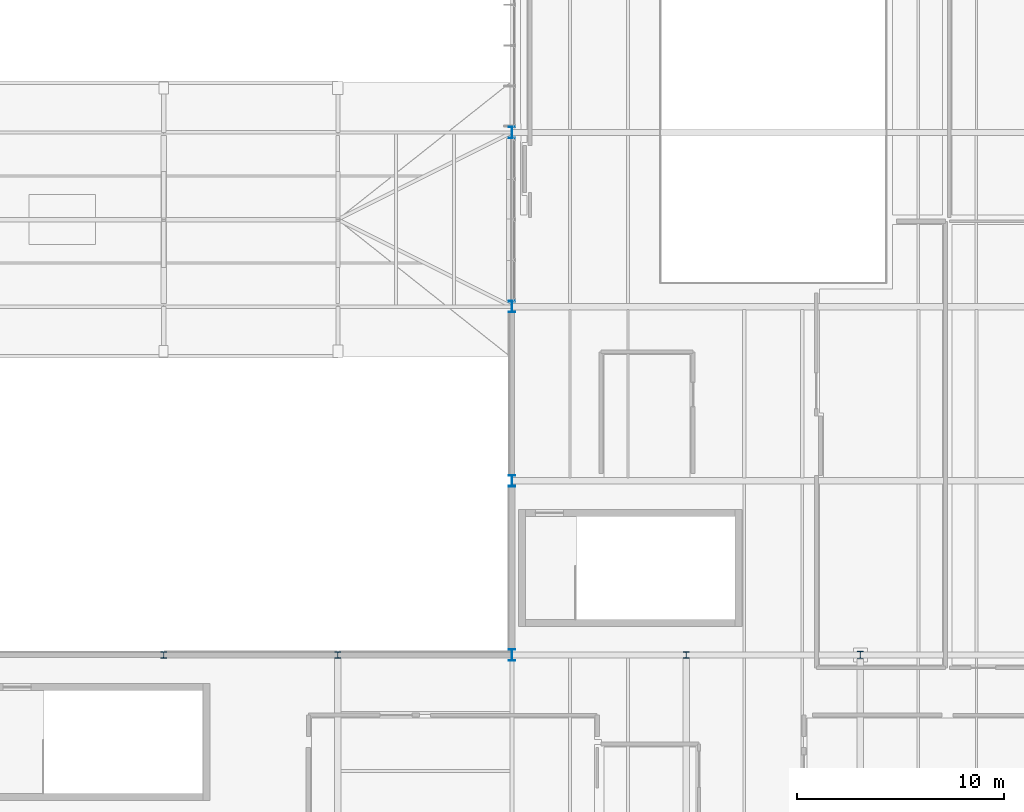
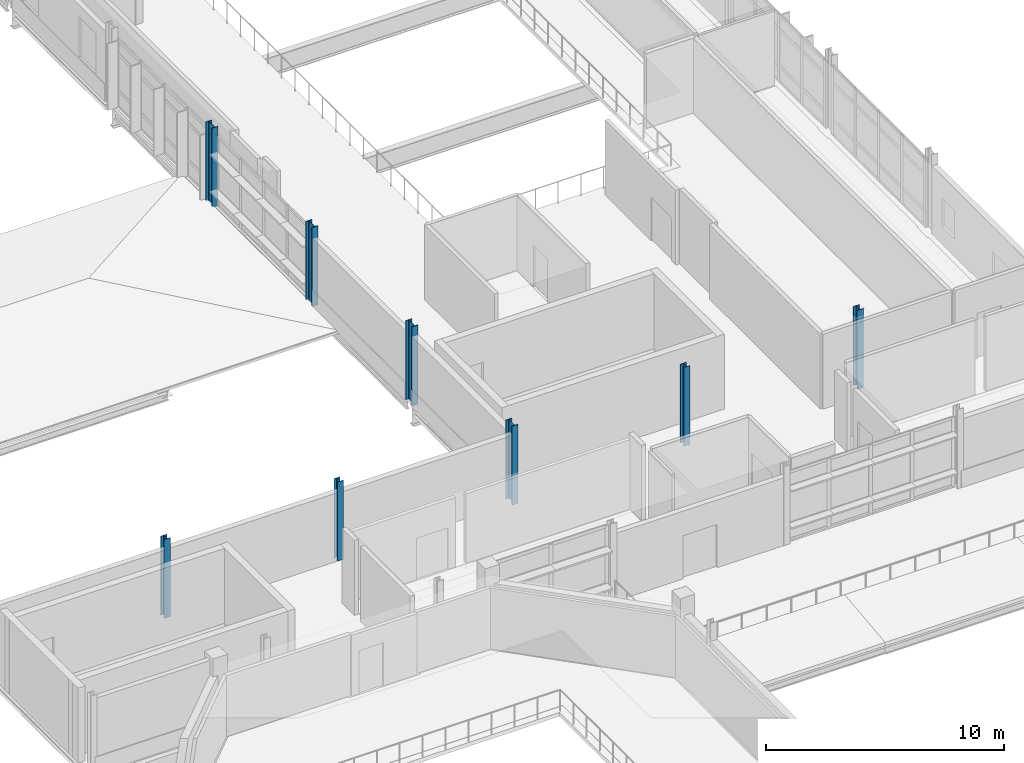
# One storey, part 3 of 151: 8 columns.
"""IFC4 building model written with IfcOpenShell, lengths in metres."""

from ifc_helpers import new_model, si_unit, direction, frame, origin, origin_2d, place, context, subcontext, project, spatial, i_section, extrude, material, material_profile, profile_set, type_object, element, save


model = new_model("IFC4")

# Units and contexts
model_context = context("Model", 3, precision=1e-05, world=origin(), true_north=direction((0.0, 1.0)))
body_context = subcontext(model_context, "Body", "Model", "MODEL_VIEW")
ifc_project = project(units=[si_unit("LENGTHUNIT", "METRE"), si_unit("AREAUNIT", "SQUARE_METRE"), si_unit("VOLUMEUNIT", "CUBIC_METRE"), si_unit("PLANEANGLEUNIT", "RADIAN"), si_unit("MASSUNIT", "GRAM", prefix="KILO")], contexts=[model_context])

# Site, building, storey
site_placement = place(None, origin())
site = spatial("IfcSite", under=ifc_project, at=site_placement, CompositionType="ELEMENT")
building_placement = place(site_placement, origin())
building = spatial("IfcBuilding", under=site, at=building_placement, Name="Mersafa Astral City Hall", CompositionType="ELEMENT")
storey_placement = place(building_placement, frame((0.0, 0.0, 9.89990234375)))
storey = spatial("IfcBuildingStorey", under=building, at=storey_placement, Name="L02", CompositionType="ELEMENT", Elevation=9.89990234375)

# Columns
ifc_material = material(Name="Steel S355", Category="steel")
ifc_material_profile_1 = material_profile(ifc_material, i_section(OverallWidth=0.300048828125, OverallDepth=0.300048828125, WebThickness=0.010986328125, FlangeThickness=0.01904296875, FilletRadius=0.027099609375, at=origin_2d()), Name="HEB 300")
ifc_profile_set_1 = profile_set([ifc_material_profile_1], Name="Steel S355")
column_type_1 = type_object("IfcColumnType", Name="STR-COL-HEB300", PredefinedType="COLUMN", material=ifc_profile_set_1)
for number, where, z_axis, x_axis, name in (
    (1, (75.60009765625, 33.60009765625, 0.0), (0.0, 0.0, 1.0), (1.0, 0.0, 0.0), "L02 Structural column G-09-04"),
    (2, (84.0, 33.60009765625, 0.0), (0.0, 0.0, 1.0), (1.0, 0.0, 0.0), "L02 Structural column G-10-04"),
    (3, (100.800048828125, 33.60009765625, 0.0), (0.0, 0.0, 1.0), (1.0, 0.0, 0.0), "L02 Structural column G-12-04"),
):
    element("IfcColumn", number, at=place(storey_placement, frame(where, z_axis=z_axis, x_axis=x_axis)), inside=storey, type_object=column_type_1, Name=name, PredefinedType="COLUMN", context=body_context, shape_type="SweptSolid", body=[
        extrude(i_section(OverallWidth=0.300048828125, OverallDepth=0.300048828125, WebThickness=0.010986328125, FlangeThickness=0.01904296875, FilletRadius=0.027099609375, at=origin_2d()), origin(), (0.0, 0.0, 1.0), 4.050048828125),
    ])
ifc_material_profile_2 = material_profile(ifc_material, i_section(OverallWidth=0.300048828125, OverallDepth=0.340087890625, WebThickness=0.011962890625, FlangeThickness=0.021484375, FilletRadius=0.027099609375, at=origin_2d()), Name="HEB 340")
ifc_profile_set_2 = profile_set([ifc_material_profile_2], Name="Steel S355")
column_type_2 = type_object("IfcColumnType", Name="STR-COL-HEB340", PredefinedType="COLUMN", material=ifc_profile_set_2)
column_placement = place(storey_placement, frame((109.199951171875, 33.60009765625, 0.0), z_axis=(0.0, 0.0, 1.0), x_axis=(1.0, 0.0, 0.0)))
element("IfcColumn", 4, at=column_placement, inside=storey, type_object=column_type_2, Name="L02 Structural column G-13-04", PredefinedType="COLUMN", context=body_context, shape_type="SweptSolid", body=[
    extrude(i_section(OverallWidth=0.300048828125, OverallDepth=0.340087890625, WebThickness=0.011962890625, FlangeThickness=0.021484375, FilletRadius=0.027099609375, at=origin_2d()), origin(), (0.0, 0.0, 1.0), 4.050048828125),
])
ifc_material_profile_3 = material_profile(ifc_material, i_section(OverallWidth=0.300048828125, OverallDepth=0.550048828125, WebThickness=0.014892578125, FlangeThickness=0.029052734375, FilletRadius=0.027099609375, at=origin_2d()), Name="HEB 550")
ifc_profile_set_3 = profile_set([ifc_material_profile_3], Name="Steel S355")
column_type_3 = type_object("IfcColumnType", Name="STR-COL-HEB550", PredefinedType="COLUMN", material=ifc_profile_set_3)
for number, where, z_axis, x_axis, name in (
    (5, (92.39990234375, 33.60009765625, 0.0), (0.0, 0.0, 1.0), (1.0, 0.0, 0.0), "L02 Structural column G-11-04"),
    (6, (92.39990234375, 42.0, 0.0), (0.0, 0.0, 1.0), (1.0, 0.0, 0.0), "L02 Structural column G-11-05"),
    (7, (92.39990234375, 50.39990234375, 0.0), (0.0, 0.0, 1.0), (1.0, 0.0, 0.0), "L02 Structural column G-11-06"),
    (8, (92.39990234375, 58.800048828125, 0.0), (0.0, 0.0, 1.0), (1.0, 0.0, 0.0), "L02 Structural column G-11-07"),
):
    element("IfcColumn", number, at=place(storey_placement, frame(where, z_axis=z_axis, x_axis=x_axis)), inside=storey, type_object=column_type_3, Name=name, PredefinedType="COLUMN", context=body_context, shape_type="SweptSolid", body=[
        extrude(i_section(OverallWidth=0.300048828125, OverallDepth=0.550048828125, WebThickness=0.014892578125, FlangeThickness=0.029052734375, FilletRadius=0.027099609375, at=origin_2d()), origin(), (0.0, 0.0, 1.0), 4.050048828125),
    ])

save(model, "model.ifc")
